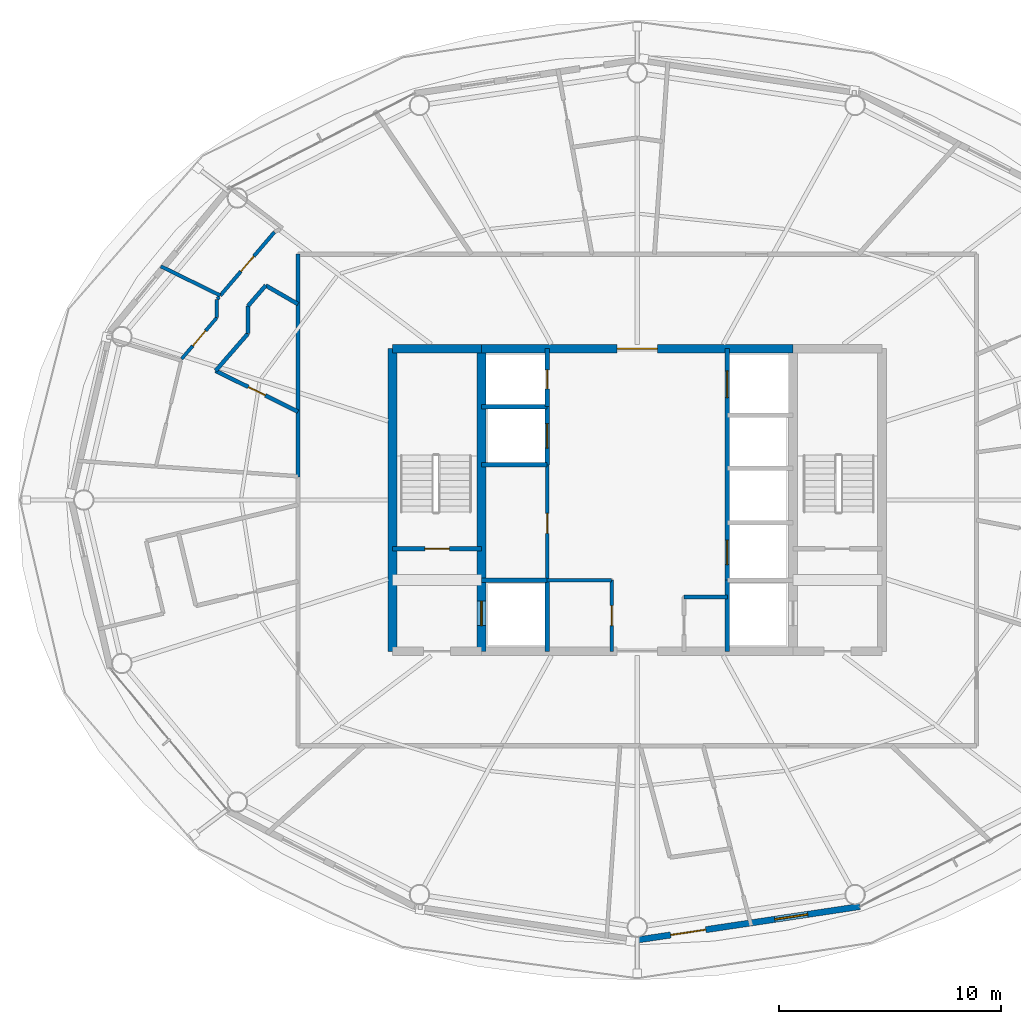
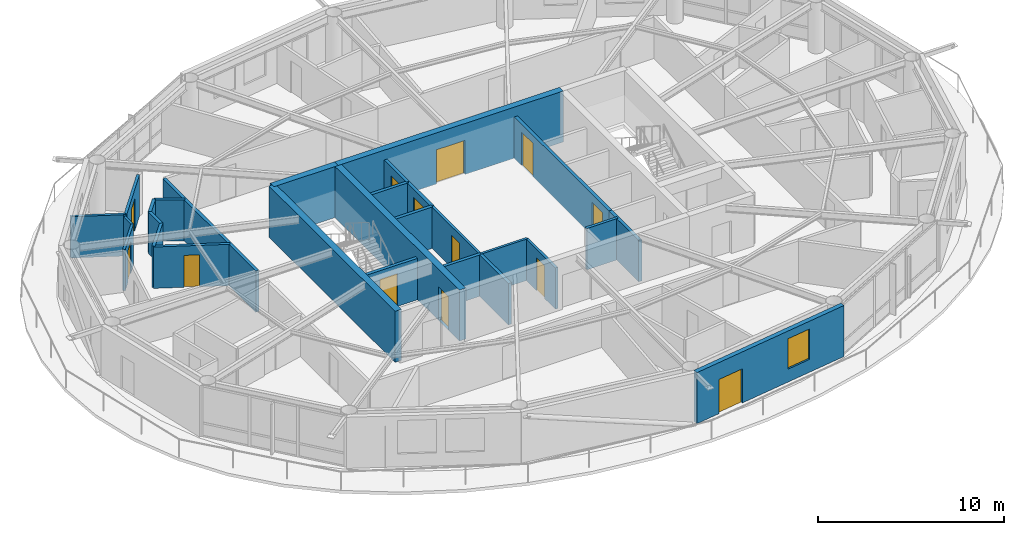
# One storey, part 16 of 22: 29 walls, 13 doors, 1 window, 14 openings.
"""IFC4 building model written with IfcOpenShell, lengths in metres."""

from ifc_helpers import new_model, si_unit, direction, frame, frame_2d, origin, place, context, subcontext, project, spatial, rectangle, extrude, material, layer, layer_set, type_object, element, fill, save


model = new_model("IFC4")

# Units and contexts
model_context = context("Model", 3, precision=1e-05, world=origin(), true_north=direction((0.0, 1.0)))
body_context = subcontext(model_context, "Body", "Model", "MODEL_VIEW")
ifc_project = project(units=[si_unit("LENGTHUNIT", "METRE"), si_unit("AREAUNIT", "SQUARE_METRE"), si_unit("VOLUMEUNIT", "CUBIC_METRE"), si_unit("PLANEANGLEUNIT", "RADIAN"), si_unit("MASSUNIT", "GRAM", prefix="KILO")], contexts=[model_context])

# Site, building, storey
site_placement = place(None, origin())
site = spatial("IfcSite", under=ifc_project, at=site_placement, CompositionType="ELEMENT")
building_placement = place(site_placement, origin())
building = spatial("IfcBuilding", under=site, at=building_placement, Name="Sarneth Arch Tower", CompositionType="ELEMENT")
storey_placement = place(building_placement, frame((0.0, 0.0, 210.0)))
storey = spatial("IfcBuildingStorey", under=building, at=storey_placement, Name="L53", CompositionType="ELEMENT", Elevation=210.0)

# Wall
ifc_material_1 = material(Name="Concrete C50/60", Category="concrete")
ifc_layer_1 = layer(ifc_material_1, 0.39990234375)
ifc_layer_set_1 = layer_set([ifc_layer_1], Name="Concrete C50/60")
wall_type_1 = type_object("IfcWallType", Name="WALL-CORE-400", PredefinedType="SHEAR", material=ifc_layer_set_1)
wall_1_placement = place(storey_placement, frame((37.0, 48.800048828125, 0.0), z_axis=(0.0, 0.0, 1.0), x_axis=(1.0, 0.0, 0.0)))
element("IfcWall", 1, at=wall_1_placement, inside=storey, type_object=wall_type_1, Name="L53 Core shear wall N-W", PredefinedType="SHEAR", context=body_context, shape_type="SweptSolid", body=[
    extrude(rectangle(XDim=4.0, YDim=0.39990234375, at=frame_2d((2.0, 0.0))), origin(), (0.0, 0.0, 1.0), 3.360107421875),
])

# Wall, opening, door
wall_2_placement = place(storey_placement, frame((41.0, 48.800048828125, 0.0), z_axis=(0.0, 0.0, 1.0), x_axis=(1.0, 0.0, 0.0)))
wall_2 = element("IfcWall", 2, at=wall_2_placement, inside=storey, type_object=wall_type_1, Name="L53 Core shear wall N-M", PredefinedType="SHEAR", context=body_context, shape_type="SweptSolid", body=[
    extrude(rectangle(XDim=14.0, YDim=0.39990234375, at=frame_2d((7.0, 0.0))), origin(), (0.0, 0.0, 1.0), 3.360107421875),
])
opening_1_placement = place(wall_2_placement, frame((6.10009765625, 0.0, 0.0)))
opening_1 = element("IfcOpeningElement", 3, at=opening_1_placement, cuts=wall_2, Name="Opening FD-01", PredefinedType="OPENING", context=body_context, shape_type="SweptSolid", body=[
    extrude(rectangle(XDim=1.800048828125, YDim=2.25, at=frame_2d((0.89990234375, 1.125))), frame((0.0, 0.2099609375, 0.0), z_axis=(0.0, -1.0, 0.0), x_axis=(1.0, 0.0, 0.0)), (0.0, 0.0, 1.0), 0.419921875),
])
ifc_material_2 = material(Name="Galvanised Steel S275 fire door set", Category="steel")
door_type_1 = type_object("IfcDoorType", Name="DR-FD90-1800", OperationType="DOUBLE_DOOR_SINGLE_SWING", PredefinedType="DOOR", material=ifc_material_2)
door_1_placement = place(opening_1_placement, origin())
door_1 = element("IfcDoor", 4, at=door_1_placement, inside=storey, type_object=door_type_1, Name="L53 Central lift lobby north door", OperationType="DOUBLE_DOOR_SINGLE_SWING", OverallHeight=2.25, OverallWidth=1.800048828125, PredefinedType="DOOR", context=body_context, shape_type="SweptSolid", body=[
    extrude(rectangle(XDim=1.800048828125, YDim=2.25, at=frame_2d((0.89990234375, 1.125))), frame((0.0, 0.02490234375, 0.0), z_axis=(0.0, -1.0, 0.0), x_axis=(1.0, 0.0, 0.0)), (0.0, 0.0, 1.0), 0.050048828125),
])
fill(opening_1, door_1)

# Wall
wall_3_placement = place(storey_placement, frame((37.0, 35.199951171875, 0.0), z_axis=(0.0, 0.0, 1.0), x_axis=(0.0, 1.0, 0.0)))
element("IfcWall", 5, at=wall_3_placement, inside=storey, type_object=wall_type_1, Name="L53 Core shear wall W", PredefinedType="SHEAR", context=body_context, shape_type="SweptSolid", body=[
    extrude(rectangle(XDim=13.60009765625, YDim=0.39990234375, at=frame_2d((6.800048828125, 0.0))), origin(), (0.0, 0.0, 1.0), 3.360107421875),
])

# Wall, opening, door
wall_4_placement = place(storey_placement, frame((41.0, 35.199951171875, 0.0), z_axis=(0.0, 0.0, 1.0), x_axis=(0.0, 1.0, 0.0)))
wall_4 = element("IfcWall", 6, at=wall_4_placement, inside=storey, type_object=wall_type_1, Name="L53 Core shear wall WEB-W", PredefinedType="SHEAR", context=body_context, shape_type="SweptSolid", body=[
    extrude(rectangle(XDim=13.60009765625, YDim=0.39990234375, at=frame_2d((6.800048828125, 0.0))), origin(), (0.0, 0.0, 1.0), 3.360107421875),
])
opening_2_placement = place(wall_4_placement, frame((1.14990234375, 0.0, 0.0)))
opening_2 = element("IfcOpeningElement", 7, at=opening_2_placement, cuts=wall_4, Name="Opening LD-1", PredefinedType="OPENING", context=body_context, shape_type="SweptSolid", body=[
    extrude(rectangle(XDim=1.10009765625, YDim=2.199951171875, at=frame_2d((0.550048828125, 1.10009765625))), frame((0.0, 0.2099609375, 0.0), z_axis=(0.0, -1.0, 0.0), x_axis=(1.0, 0.0, 0.0)), (0.0, 0.0, 1.0), 0.419921875),
])
ifc_material_3 = material(Name="Brushed Stainless Steel 304 lift landing door", Category="steel")
door_type_2 = type_object("IfcDoorType", Name="DR-LIFT-SLIDE-1100", OperationType="SLIDING_TO_LEFT", PredefinedType="DOOR", material=ifc_material_3)
door_2_placement = place(opening_2_placement, origin())
door_2 = element("IfcDoor", 8, at=door_2_placement, inside=storey, type_object=door_type_2, Name="L53 Firefighting lift landing door FL-1", OperationType="SLIDING_TO_LEFT", OverallHeight=2.199951171875, OverallWidth=1.10009765625, PredefinedType="DOOR", context=body_context, shape_type="SweptSolid", body=[
    extrude(rectangle(XDim=1.10009765625, YDim=2.199951171875, at=frame_2d((0.550048828125, 1.10009765625))), frame((0.0, 0.02490234375, 0.0), z_axis=(0.0, -1.0, 0.0), x_axis=(1.0, 0.0, 0.0)), (0.0, 0.0, 1.0), 0.050048828125),
])
fill(opening_2, door_2)

# Wall
ifc_material_4 = material(Name="Double steel-stud corridor fire wall", Category="steel")
ifc_layer_2 = layer(ifc_material_4, 0.18994140625)
ifc_layer_set_2 = layer_set([ifc_layer_2], Name="Double steel-stud corridor fire wall")
wall_type_2 = type_object("IfcWallType", Name="WALL-CORR-190", PredefinedType="PARTITIONING", material=ifc_layer_set_2)
wall_5_placement = place(storey_placement, frame((32.75, 43.0341796875, 0.0), z_axis=(0.0, 0.0, 1.0), x_axis=(0.0, 1.0, 0.0)))
element("IfcWall", 9, at=wall_5_placement, inside=storey, type_object=wall_type_2, Name="L53 Interior partition W-L53-TP-011", PredefinedType="PARTITIONING", context=body_context, shape_type="SweptSolid", body=[
    extrude(rectangle(XDim=10.015869140625, YDim=0.18994140625, at=frame_2d((5.0078125, 0.0))), origin(), (0.0, 0.0, 1.0), 2.719970703125),
])

# Wall, openings, door, window
ifc_material_5 = material(Name="Extruded terracotta rainscreen on Concrete C40/50 backing", Category="masonry")
ifc_layer_3 = layer(ifc_material_5, 0.280029296875)
ifc_layer_set_3 = layer_set([ifc_layer_3], Name="Extruded terracotta rainscreen on Concrete C40/50 backing")
wall_type_3 = type_object("IfcWallType", Name="WALL-EXT-TERRA-280", PredefinedType="SOLIDWALL", material=ifc_layer_set_3)
wall_6_placement = place(storey_placement, frame((48.0, 22.219970703125, 0.0), z_axis=(0.0, 0.0, 1.0), x_axis=(0.988882522213, 0.148698881169, 0.0)))
wall_6 = element("IfcWall", 10, at=wall_6_placement, inside=storey, type_object=wall_type_3, Name="L53 Terracotta perimeter wall 13", PredefinedType="SOLIDWALL", context=body_context, shape_type="SweptSolid", body=[
    extrude(rectangle(XDim=10.125244140625, YDim=0.280029296875, at=frame_2d((5.0625, 0.0))), origin(), (0.0, 0.0, 1.0), 3.360107421875),
])
opening_3_placement = place(wall_6_placement, frame((1.51611328125, 0.0, 0.0)))
opening_3 = element("IfcOpeningElement", 11, at=opening_3_placement, cuts=wall_6, Name="Opening BD-1", PredefinedType="OPENING", context=body_context, shape_type="SweptSolid", body=[
    extrude(rectangle(XDim=1.60009765625, YDim=2.25, at=frame_2d((0.800048828125, 1.125))), frame((0.0, 0.14990234375, 0.0), z_axis=(0.0, -1.0, 0.0), x_axis=(1.0, 0.0, 0.0)), (0.0, 0.0, 1.0), 0.300048828125),
])
opening_4_placement = place(wall_6_placement, frame((6.25048828125, 0.0, 0.85009765625)))
opening_4 = element("IfcOpeningElement", 12, at=opening_4_placement, cuts=wall_6, Name="Opening W-06", PredefinedType="OPENING", context=body_context, shape_type="SweptSolid", body=[
    extrude(rectangle(XDim=1.5, YDim=2.0, at=frame_2d((0.75, 1.0))), frame((0.0, 0.14990234375, 0.0), z_axis=(0.0, -1.0, 0.0), x_axis=(1.0, 0.0, 0.0)), (0.0, 0.0, 1.0), 0.300048828125),
])
ifc_material_6 = material(Name="Thermally broken Aluminium 6063-T6 and laminated safety glass", Category="aluminium")
door_type_3 = type_object("IfcDoorType", Name="DR-BALC-GLZ-1600", OperationType="DOUBLE_DOOR_SINGLE_SWING", PredefinedType="DOOR", material=ifc_material_6)
door_3_placement = place(opening_3_placement, origin())
door_3 = element("IfcDoor", 13, at=door_3_placement, inside=storey, type_object=door_type_3, Name="L53 Balcony glazed door 13", OperationType="DOUBLE_DOOR_SINGLE_SWING", OverallHeight=2.25, OverallWidth=1.60009765625, PredefinedType="DOOR", context=body_context, shape_type="SweptSolid", body=[
    extrude(rectangle(XDim=1.60009765625, YDim=2.25, at=frame_2d((0.800048828125, 1.125))), frame((0.0, 0.02490234375, 0.0), z_axis=(0.0, -1.0, 0.0), x_axis=(1.0, 0.0, 0.0)), (0.0, 0.0, 1.0), 0.050048828125),
])
fill(opening_3, door_3)
ifc_material_7 = material(Name="Thermally broken Aluminium 6063-T6 and low-e laminated IGU", Category="aluminium")
window_type = type_object("IfcWindowType", Name="WIN-TWR-1500x2000", PartitioningType="SINGLE_PANEL", PredefinedType="WINDOW", material=ifc_material_7)
window_placement = place(opening_4_placement, origin())
window = element("IfcWindow", 14, at=window_placement, inside=storey, type_object=window_type, Name="L53 Exterior window 13A", OverallHeight=2.0, OverallWidth=1.5, PartitioningType="SINGLE_PANEL", PredefinedType="WINDOW", context=body_context, shape_type="SweptSolid", body=[
    extrude(rectangle(XDim=1.5, YDim=2.0, at=frame_2d((0.75, 1.0))), frame((0.0, 0.030029296875, 0.0), z_axis=(0.0, -1.0, 0.0), x_axis=(1.0, 0.0, 0.0)), (0.0, 0.0, 1.0), 0.06005859375),
])
fill(opening_4, window)

# Wall, opening, door
ifc_material_8 = material(Name="Acoustic gypsum stud partition", Category="gypsum")
ifc_layer_4 = layer(ifc_material_8, 0.14990234375)
ifc_layer_set_4 = layer_set([ifc_layer_4], Name="Acoustic gypsum stud partition")
wall_type_4 = type_object("IfcWallType", Name="WALL-PART-150", PredefinedType="PARTITIONING", material=ifc_layer_set_4)
wall_7_placement = place(storey_placement, frame((43.949951171875, 38.39990234375, 0.0), z_axis=(0.0, 0.0, 1.0), x_axis=(0.0, 1.0, 0.0)))
wall_7 = element("IfcWall", 15, at=wall_7_placement, inside=storey, type_object=wall_type_4, Name="L53 Interior partition W-L53-RECPL-E", PredefinedType="PARTITIONING", context=body_context, shape_type="SweptSolid", body=[
    extrude(rectangle(XDim=5.18017578125, YDim=0.14990234375, at=frame_2d((2.590087890625, 0.0))), origin(), (0.0, 0.0, 1.0), 2.719970703125),
])
opening_5_placement = place(wall_7_placement, frame((2.10009765625, 0.0, 0.0)))
opening_5 = element("IfcOpeningElement", 16, at=opening_5_placement, cuts=wall_7, Name="Opening FD-10", PredefinedType="OPENING", context=body_context, shape_type="SweptSolid", body=[
    extrude(rectangle(XDim=0.89990234375, YDim=2.14990234375, at=frame_2d((0.449951171875, 1.074951171875))), frame((0.0, 0.0849609375, 0.0), z_axis=(0.0, -1.0, 0.0), x_axis=(1.0, 0.0, 0.0)), (0.0, 0.0, 1.0), 0.169921875),
])
ifc_material_9 = material(Name="Galvanised Steel S275 riser/service fire door", Category="steel")
door_type_4 = type_object("IfcDoorType", Name="DR-FD60-900", OperationType="SINGLE_SWING_LEFT", PredefinedType="DOOR", material=ifc_material_9)
door_4_placement = place(opening_5_placement, origin())
door_4 = element("IfcDoor", 17, at=door_4_placement, inside=storey, type_object=door_type_4, Name="L53 Interior door DR-L53-RECPL1", OperationType="SINGLE_SWING_LEFT", OverallHeight=2.14990234375, OverallWidth=0.89990234375, PredefinedType="DOOR", context=body_context, shape_type="SweptSolid", body=[
    extrude(rectangle(XDim=0.89990234375, YDim=2.14990234375, at=frame_2d((0.449951171875, 1.074951171875))), frame((0.0, 0.02490234375, 0.0), z_axis=(0.0, -1.0, 0.0), x_axis=(1.0, 0.0, 0.0)), (0.0, 0.0, 1.0), 0.050048828125),
])
fill(opening_5, door_4)

# Wall
wall_8_placement = place(storey_placement, frame((43.949951171875, 38.39990234375, 0.0), z_axis=(0.0, 0.0, 1.0), x_axis=(1.0, 0.0, 0.0)))
element("IfcWall", 18, at=wall_8_placement, inside=storey, type_object=wall_type_4, Name="L53 Interior partition W-L53-CSUP1-N", PredefinedType="PARTITIONING", context=body_context, shape_type="SweptSolid", body=[
    extrude(rectangle(XDim=2.900146484375, YDim=0.14990234375, at=frame_2d((1.4501953125, 0.0))), origin(), (0.0, 0.0, 1.0), 2.719970703125),
])

# Wall, opening, door
wall_9_placement = place(storey_placement, frame((46.85009765625, 35.199951171875, 0.0), z_axis=(0.0, 0.0, 1.0), x_axis=(0.0, 1.0, 0.0)))
wall_9 = element("IfcWall", 19, at=wall_9_placement, inside=storey, type_object=wall_type_4, Name="L53 Interior partition W-L53-CSUP1-E", PredefinedType="PARTITIONING", context=body_context, shape_type="SweptSolid", body=[
    extrude(rectangle(XDim=3.199951171875, YDim=0.14990234375, at=frame_2d((1.60009765625, 0.0))), origin(), (0.0, 0.0, 1.0), 2.719970703125),
])
opening_6_placement = place(wall_9_placement, frame((1.14990234375, 0.0, 0.0)))
opening_6 = element("IfcOpeningElement", 20, at=opening_6_placement, cuts=wall_9, Name="Opening FD-10", PredefinedType="OPENING", context=body_context, shape_type="SweptSolid", body=[
    extrude(rectangle(XDim=0.89990234375, YDim=2.14990234375, at=frame_2d((0.449951171875, 1.074951171875))), frame((0.0, 0.0849609375, 0.0), z_axis=(0.0, -1.0, 0.0), x_axis=(1.0, 0.0, 0.0)), (0.0, 0.0, 1.0), 0.169921875),
])
door_5_placement = place(opening_6_placement, origin())
door_5 = element("IfcDoor", 21, at=door_5_placement, inside=storey, type_object=door_type_4, Name="L53 Interior door DR-L53-CSUP1", OperationType="SINGLE_SWING_LEFT", OverallHeight=2.14990234375, OverallWidth=0.89990234375, PredefinedType="DOOR", context=body_context, shape_type="SweptSolid", body=[
    extrude(rectangle(XDim=0.89990234375, YDim=2.14990234375, at=frame_2d((0.449951171875, 1.074951171875))), frame((0.0, 0.02490234375, 0.0), z_axis=(0.0, -1.0, 0.0), x_axis=(1.0, 0.0, 0.0)), (0.0, 0.0, 1.0), 0.050048828125),
])
fill(opening_6, door_5)

wall_10_placement = place(storey_placement, frame((29.10009765625, 50.197021484375, 0.0), z_axis=(0.0, 0.0, 1.0), x_axis=(-0.649270866973, -0.760557257082, 0.0)))
wall_10 = element("IfcWall", 22, at=wall_10_placement, inside=storey, type_object=wall_type_4, Name="L53 Interior partition W-L53-TP-049", PredefinedType="PARTITIONING", context=body_context, shape_type="SweptSolid", body=[
    extrude(rectangle(XDim=2.43505859375, YDim=0.14990234375, at=frame_2d((1.217529296875, 0.0))), origin(), (0.0, 0.0, 1.0), 2.719970703125),
])
opening_7_placement = place(wall_10_placement, frame((0.767578125, 0.0, 0.0)))
opening_7 = element("IfcOpeningElement", 23, at=opening_7_placement, cuts=wall_10, Name="Opening ID-01", PredefinedType="OPENING", context=body_context, shape_type="SweptSolid", body=[
    extrude(rectangle(XDim=0.89990234375, YDim=2.10009765625, at=frame_2d((0.449951171875, 1.050048828125))), frame((0.0, 0.0849609375, 0.0), z_axis=(0.0, -1.0, 0.0), x_axis=(1.0, 0.0, 0.0)), (0.0, 0.0, 1.0), 0.169921875),
])
ifc_material_10 = material(Name="Engineered hardwood flush door", Category="wood")
door_type_5 = type_object("IfcDoorType", Name="DR-INT-900", OperationType="SINGLE_SWING_LEFT", PredefinedType="DOOR", material=ifc_material_10)
door_6_placement = place(opening_7_placement, origin())
door_6 = element("IfcDoor", 24, at=door_6_placement, inside=storey, type_object=door_type_5, Name="L53 Interior door DR-L53-U4-BED1", OperationType="SINGLE_SWING_LEFT", OverallHeight=2.10009765625, OverallWidth=0.89990234375, PredefinedType="DOOR", context=body_context, shape_type="SweptSolid", body=[
    extrude(rectangle(XDim=0.89990234375, YDim=2.10009765625, at=frame_2d((0.449951171875, 1.050048828125))), frame((0.0, 0.02490234375, 0.0), z_axis=(0.0, -1.0, 0.0), x_axis=(1.0, 0.0, 0.0)), (0.0, 0.0, 1.0), 0.050048828125),
])
fill(opening_7, door_6)

# Walls
wall_11_placement = place(storey_placement, frame((29.10009765625, 51.007080078125, 0.0), z_axis=(0.0, 0.0, 1.0), x_axis=(0.0, -1.0, 0.0)))
element("IfcWall", 25, at=wall_11_placement, inside=storey, type_object=wall_type_4, Name="L53 Interior partition W-L53-TP-048", PredefinedType="PARTITIONING", context=body_context, shape_type="SweptSolid", body=[
    extrude(rectangle(XDim=0.81005859375, YDim=0.14990234375, at=frame_2d((0.405029296875, 0.0))), origin(), (0.0, 0.0, 1.0), 2.719970703125),
])
wall_12_placement = place(storey_placement, frame((29.201416015625, 51.125732421875, 0.0), z_axis=(0.0, 0.0, 1.0), x_axis=(-0.649232735888, -0.760589807092, 0.0)))
element("IfcWall", 26, at=wall_12_placement, inside=storey, type_object=wall_type_4, Name="L53 Interior partition W-L53-TP-047", PredefinedType="PARTITIONING", context=body_context, shape_type="SweptSolid", body=[
    extrude(rectangle(XDim=0.1162109375, YDim=0.14990234375, at=frame_2d((0.05810546875, 0.0))), origin(), (0.0, 0.0, 1.0), 2.719970703125),
])

# Wall, opening, door
ifc_material_11 = material(Name="Kitchen wet service chase wall", Category="gypsum")
ifc_layer_5 = layer(ifc_material_11, 0.159912109375)
ifc_layer_set_5 = layer_set([ifc_layer_5], Name="Kitchen wet service chase wall")
wall_type_5 = type_object("IfcWallType", Name="WALL-PLUMB-160", PredefinedType="PLUMBINGWALL", material=ifc_layer_set_5)
wall_13_placement = place(storey_placement, frame((31.68896484375, 54.0419921875, 0.0), z_axis=(0.0, 0.0, 1.0), x_axis=(-0.648996547252, -0.760791352248, 0.0)))
wall_13 = element("IfcWall", 27, at=wall_13_placement, inside=storey, type_object=wall_type_5, Name="L53 Interior partition W-L53-TP-041", PredefinedType="PLUMBINGWALL", context=body_context, shape_type="SweptSolid", body=[
    extrude(rectangle(XDim=3.745361328125, YDim=0.159912109375, at=frame_2d((1.87255859375, 0.0))), origin(), (0.0, 0.0, 1.0), 2.719970703125),
])
opening_8_placement = place(wall_13_placement, frame((1.422607421875, 0.0, 0.0)))
opening_8 = element("IfcOpeningElement", 28, at=opening_8_placement, cuts=wall_13, Name="Opening ID-01", PredefinedType="OPENING", context=body_context, shape_type="SweptSolid", body=[
    extrude(rectangle(XDim=0.89990234375, YDim=2.10009765625, at=frame_2d((0.449951171875, 1.050048828125))), frame((0.0, 0.08984375, 0.0), z_axis=(0.0, -1.0, 0.0), x_axis=(1.0, 0.0, 0.0)), (0.0, 0.0, 1.0), 0.179931640625),
])
door_7_placement = place(opening_8_placement, origin())
door_7 = element("IfcDoor", 29, at=door_7_placement, inside=storey, type_object=door_type_5, Name="L53 Interior door DR-L53-U4-KIT", OperationType="SINGLE_SWING_LEFT", OverallHeight=2.10009765625, OverallWidth=0.89990234375, PredefinedType="DOOR", context=body_context, shape_type="SweptSolid", body=[
    extrude(rectangle(XDim=0.89990234375, YDim=2.10009765625, at=frame_2d((0.449951171875, 1.050048828125))), frame((0.0, 0.02490234375, 0.0), z_axis=(0.0, -1.0, 0.0), x_axis=(1.0, 0.0, 0.0)), (0.0, 0.0, 1.0), 0.050048828125),
])
fill(opening_8, door_7)

# Walls
wall_14_placement = place(storey_placement, frame((29.25830078125, 51.192626953125, 0.0), z_axis=(0.0, 0.0, 1.0), x_axis=(-0.897810810902, 0.440381366348, 0.0)))
element("IfcWall", 30, at=wall_14_placement, inside=storey, type_object=wall_type_5, Name="L53 Interior partition W-L53-TP-052", PredefinedType="PLUMBINGWALL", context=body_context, shape_type="SweptSolid", body=[
    extrude(rectangle(XDim=2.978759765625, YDim=0.159912109375, at=frame_2d((1.4892578125, 0.0))), origin(), (0.0, 0.0, 1.0), 2.719970703125),
])
ifc_material_12 = material(Name="Moisture-resistant plumbing chase wall", Category="gypsum")
ifc_layer_6 = layer(ifc_material_12, 0.179931640625)
ifc_layer_set_6 = layer_set([ifc_layer_6], Name="Moisture-resistant plumbing chase wall")
wall_type_6 = type_object("IfcWallType", Name="WALL-PLUMB-180", PredefinedType="PLUMBINGWALL", material=ifc_layer_set_6)
wall_15_placement = place(storey_placement, frame((50.10009765625, 37.64990234375, 0.0), z_axis=(0.0, 0.0, 1.0), x_axis=(1.0, 0.0, 0.0)))
element("IfcWall", 31, at=wall_15_placement, inside=storey, type_object=wall_type_6, Name="L53 Interior partition W-L53-AWC-N", PredefinedType="PLUMBINGWALL", context=body_context, shape_type="SweptSolid", body=[
    extrude(rectangle(XDim=1.949951171875, YDim=0.179931640625, at=frame_2d((0.97509765625, 0.0))), origin(), (0.0, 0.0, 1.0), 2.719970703125),
])

# Wall, opening, door
wall_16_placement = place(storey_placement, frame((29.0458984375, 47.809326171875, 0.0), z_axis=(0.0, 0.0, 1.0), x_axis=(0.895675225239, -0.444708770876, 0.0)))
wall_16 = element("IfcWall", 32, at=wall_16_placement, inside=storey, type_object=wall_type_6, Name="L53 Interior partition W-L53-TP-046", PredefinedType="PLUMBINGWALL", context=body_context, shape_type="SweptSolid", body=[
    extrude(rectangle(XDim=4.135498046875, YDim=0.179931640625, at=frame_2d((2.06787109375, 0.0))), origin(), (0.0, 0.0, 1.0), 2.719970703125),
])
opening_9_placement = place(wall_16_placement, frame((1.642822265625, 0.0, 0.0)))
opening_9 = element("IfcOpeningElement", 33, at=opening_9_placement, cuts=wall_16, Name="Opening ID-02", PredefinedType="OPENING", context=body_context, shape_type="SweptSolid", body=[
    extrude(rectangle(XDim=0.85009765625, YDim=2.10009765625, at=frame_2d((0.425048828125, 1.050048828125))), frame((0.0, 0.099853515625, 0.0), z_axis=(0.0, -1.0, 0.0), x_axis=(1.0, 0.0, 0.0)), (0.0, 0.0, 1.0), 0.199951171875),
])
ifc_material_13 = material(Name="Moisture-resistant bathroom timber door", Category="wood")
door_type_6 = type_object("IfcDoorType", Name="DR-INT-850", OperationType="SINGLE_SWING_RIGHT", PredefinedType="DOOR", material=ifc_material_13)
door_8_placement = place(opening_9_placement, origin())
door_8 = element("IfcDoor", 34, at=door_8_placement, inside=storey, type_object=door_type_6, Name="L53 Interior door DR-L53-U4-BATH", OperationType="SINGLE_SWING_RIGHT", OverallHeight=2.10009765625, OverallWidth=0.85009765625, PredefinedType="DOOR", context=body_context, shape_type="SweptSolid", body=[
    extrude(rectangle(XDim=0.85009765625, YDim=2.10009765625, at=frame_2d((0.425048828125, 1.050048828125))), frame((0.0, 0.02490234375, 0.0), z_axis=(0.0, -1.0, 0.0), x_axis=(1.0, 0.0, 0.0)), (0.0, 0.0, 1.0), 0.050048828125),
])
fill(opening_9, door_8)

# Walls
wall_17_placement = place(storey_placement, frame((30.5, 49.480712890625, 0.0), z_axis=(0.0, 0.0, 1.0), x_axis=(-0.656364223854, -0.754444169998, 0.0)))
element("IfcWall", 35, at=wall_17_placement, inside=storey, type_object=wall_type_6, Name="L53 Interior partition W-L53-TP-045", PredefinedType="PLUMBINGWALL", context=body_context, shape_type="SweptSolid", body=[
    extrude(rectangle(XDim=2.21533203125, YDim=0.179931640625, at=frame_2d((1.107666015625, 0.0))), origin(), (0.0, 0.0, 1.0), 2.719970703125),
])
wall_18_placement = place(storey_placement, frame((32.75, 50.8046875, 0.0), z_axis=(0.0, 0.0, 1.0), x_axis=(-0.866013522419, 0.500020578564, 0.0)))
element("IfcWall", 36, at=wall_18_placement, inside=storey, type_object=wall_type_6, Name="L53 Interior partition W-L53-TP-042", PredefinedType="PLUMBINGWALL", context=body_context, shape_type="SweptSolid", body=[
    extrude(rectangle(XDim=1.677734375, YDim=0.179931640625, at=frame_2d((0.8388671875, 0.0))), origin(), (0.0, 0.0, 1.0), 2.719970703125),
])
wall_19_placement = place(storey_placement, frame((30.5, 50.72119140625, 0.0), z_axis=(0.0, 0.0, 1.0), x_axis=(0.0, -1.0, 0.0)))
element("IfcWall", 37, at=wall_19_placement, inside=storey, type_object=wall_type_6, Name="L53 Interior partition W-L53-TP-044", PredefinedType="PLUMBINGWALL", context=body_context, shape_type="SweptSolid", body=[
    extrude(rectangle(XDim=1.240478515625, YDim=0.179931640625, at=frame_2d((0.6201171875, 0.0))), origin(), (0.0, 0.0, 1.0), 2.719970703125),
])
wall_20_placement = place(storey_placement, frame((31.297119140625, 51.6435546875, 0.0), z_axis=(0.0, 0.0, 1.0), x_axis=(-0.653870108477, -0.756606820773, 0.0)))
element("IfcWall", 38, at=wall_20_placement, inside=storey, type_object=wall_type_6, Name="L53 Interior partition W-L53-TP-043", PredefinedType="PLUMBINGWALL", context=body_context, shape_type="SweptSolid", body=[
    extrude(rectangle(XDim=1.218994140625, YDim=0.179931640625, at=frame_2d((0.609375, 0.0))), origin(), (0.0, 0.0, 1.0), 2.719970703125),
])

# Wall, opening, door
ifc_material_14 = material(Name="Aerated concrete blockwork C25/30", Category="masonry")
ifc_layer_7 = layer(ifc_material_14, 0.199951171875)
ifc_layer_set_7 = layer_set([ifc_layer_7], Name="Aerated concrete blockwork C25/30")
wall_type_7 = type_object("IfcWallType", Name="WALL-SHAFT-200", PredefinedType="SOLIDWALL", material=ifc_layer_set_7)
wall_21_placement = place(storey_placement, frame((37.0, 39.800048828125, 0.0), z_axis=(0.0, 0.0, 1.0), x_axis=(1.0, 0.0, 0.0)))
wall_21 = element("IfcWall", 39, at=wall_21_placement, inside=storey, type_object=wall_type_7, Name="L53 Interior partition W-L53-ST1-S", PredefinedType="SOLIDWALL", context=body_context, shape_type="SweptSolid", body=[
    extrude(rectangle(XDim=4.0, YDim=0.199951171875, at=frame_2d((2.0, 0.0))), origin(), (0.0, 0.0, 1.0), 2.719970703125),
])
opening_10_placement = place(wall_21_placement, frame((1.449951171875, 0.0, 0.0)))
opening_10 = element("IfcOpeningElement", 40, at=opening_10_placement, cuts=wall_21, Name="Opening FD-03", PredefinedType="OPENING", context=body_context, shape_type="SweptSolid", body=[
    extrude(rectangle(XDim=1.10009765625, YDim=2.14990234375, at=frame_2d((0.550048828125, 1.074951171875))), frame((0.0, 0.10986328125, 0.0), z_axis=(0.0, -1.0, 0.0), x_axis=(1.0, 0.0, 0.0)), (0.0, 0.0, 1.0), 0.219970703125),
])
ifc_material_15 = material(Name="Galvanised Steel S275 fire door set", Category="steel")
door_type_7 = type_object("IfcDoorType", Name="DR-FD90-1100", OperationType="SINGLE_SWING_LEFT", PredefinedType="DOOR", material=ifc_material_15)
door_9_placement = place(opening_10_placement, origin())
door_9 = element("IfcDoor", 41, at=door_9_placement, inside=storey, type_object=door_type_7, Name="L53 Interior door DR-L53-ST1", OperationType="SINGLE_SWING_LEFT", OverallHeight=2.14990234375, OverallWidth=1.10009765625, PredefinedType="DOOR", context=body_context, shape_type="SweptSolid", body=[
    extrude(rectangle(XDim=1.10009765625, YDim=2.14990234375, at=frame_2d((0.550048828125, 1.074951171875))), frame((0.0, 0.02490234375, 0.0), z_axis=(0.0, -1.0, 0.0), x_axis=(1.0, 0.0, 0.0)), (0.0, 0.0, 1.0), 0.050048828125),
])
fill(opening_10, door_9)

# Walls
wall_22_placement = place(storey_placement, frame((43.949951171875, 35.199951171875, 0.0), z_axis=(0.0, 0.0, 1.0), x_axis=(0.0, 1.0, 0.0)))
element("IfcWall", 42, at=wall_22_placement, inside=storey, type_object=wall_type_7, Name="L53 Interior partition W-L53-FL1-E", PredefinedType="SOLIDWALL", context=body_context, shape_type="SweptSolid", body=[
    extrude(rectangle(XDim=3.199951171875, YDim=0.199951171875, at=frame_2d((1.60009765625, 0.0))), origin(), (0.0, 0.0, 1.0), 2.719970703125),
])
wall_23_placement = place(storey_placement, frame((41.0, 38.39990234375, 0.0), z_axis=(0.0, 0.0, 1.0), x_axis=(1.0, 0.0, 0.0)))
element("IfcWall", 43, at=wall_23_placement, inside=storey, type_object=wall_type_7, Name="L53 Interior partition W-L53-FL1-N", PredefinedType="SOLIDWALL", context=body_context, shape_type="SweptSolid", body=[
    extrude(rectangle(XDim=2.949951171875, YDim=0.199951171875, at=frame_2d((1.47509765625, 0.0))), origin(), (0.0, 0.0, 1.0), 2.719970703125),
])
wall_24_placement = place(storey_placement, frame((52.050048828125, 35.199951171875, 0.0), z_axis=(0.0, 0.0, 1.0), x_axis=(0.0, 1.0, 0.0)))
element("IfcWall", 44, at=wall_24_placement, inside=storey, type_object=wall_type_7, Name="L53 Interior partition W-L53-FL2-W", PredefinedType="SOLIDWALL", context=body_context, shape_type="SweptSolid", body=[
    extrude(rectangle(XDim=3.199951171875, YDim=0.199951171875, at=frame_2d((1.60009765625, 0.0))), origin(), (0.0, 0.0, 1.0), 2.719970703125),
])
wall_25_placement = place(storey_placement, frame((41.0, 46.199951171875, 0.0), z_axis=(0.0, 0.0, 1.0), x_axis=(1.0, 0.0, 0.0)))
element("IfcWall", 45, at=wall_25_placement, inside=storey, type_object=wall_type_7, Name="L53 Interior partition W-L53-RISER-S", PredefinedType="SOLIDWALL", context=body_context, shape_type="SweptSolid", body=[
    extrude(rectangle(XDim=2.949951171875, YDim=0.199951171875, at=frame_2d((1.47509765625, 0.0))), origin(), (0.0, 0.0, 1.0), 2.719970703125),
])

# Wall, opening, door
wall_26_placement = place(storey_placement, frame((43.949951171875, 46.199951171875, 0.0), z_axis=(0.0, 0.0, 1.0), x_axis=(0.0, 1.0, 0.0)))
wall_26 = element("IfcWall", 46, at=wall_26_placement, inside=storey, type_object=wall_type_7, Name="L53 Interior partition W-L53-RISER-E", PredefinedType="SOLIDWALL", context=body_context, shape_type="SweptSolid", body=[
    extrude(rectangle(XDim=2.60009765625, YDim=0.199951171875, at=frame_2d((1.300048828125, 0.0))), origin(), (0.0, 0.0, 1.0), 2.719970703125),
])
opening_11_placement = place(wall_26_placement, frame((0.800048828125, 0.0, 0.0)))
opening_11 = element("IfcOpeningElement", 47, at=opening_11_placement, cuts=wall_26, Name="Opening FD-11", PredefinedType="OPENING", context=body_context, shape_type="SweptSolid", body=[
    extrude(rectangle(XDim=0.85009765625, YDim=2.14990234375, at=frame_2d((0.425048828125, 1.074951171875))), frame((0.0, 0.10986328125, 0.0), z_axis=(0.0, -1.0, 0.0), x_axis=(1.0, 0.0, 0.0)), (0.0, 0.0, 1.0), 0.219970703125),
])
ifc_material_16 = material(Name="Galvanised Steel S275 closet fire door", Category="steel")
door_type_8 = type_object("IfcDoorType", Name="DR-FD60-850", OperationType="SINGLE_SWING_LEFT", PredefinedType="DOOR", material=ifc_material_16)
door_10_placement = place(opening_11_placement, origin())
door_10 = element("IfcDoor", 48, at=door_10_placement, inside=storey, type_object=door_type_8, Name="L53 Lift landing door DR-L53-RISER", OperationType="SINGLE_SWING_LEFT", OverallHeight=2.14990234375, OverallWidth=0.85009765625, PredefinedType="DOOR", context=body_context, shape_type="SweptSolid", body=[
    extrude(rectangle(XDim=0.85009765625, YDim=2.14990234375, at=frame_2d((0.425048828125, 1.074951171875))), frame((0.0, 0.02490234375, 0.0), z_axis=(0.0, -1.0, 0.0), x_axis=(1.0, 0.0, 0.0)), (0.0, 0.0, 1.0), 0.050048828125),
])
fill(opening_11, door_10)

# Wall
wall_27_placement = place(storey_placement, frame((41.0, 43.580078125, 0.0), z_axis=(0.0, 0.0, 1.0), x_axis=(1.0, 0.0, 0.0)))
element("IfcWall", 49, at=wall_27_placement, inside=storey, type_object=wall_type_7, Name="L53 Interior partition W-L53-PM1-S", PredefinedType="SOLIDWALL", context=body_context, shape_type="SweptSolid", body=[
    extrude(rectangle(XDim=2.949951171875, YDim=0.199951171875, at=frame_2d((1.47509765625, 0.0))), origin(), (0.0, 0.0, 1.0), 2.719970703125),
])

# Wall, opening, door
wall_28_placement = place(storey_placement, frame((43.949951171875, 43.580078125, 0.0), z_axis=(0.0, 0.0, 1.0), x_axis=(0.0, 1.0, 0.0)))
wall_28 = element("IfcWall", 50, at=wall_28_placement, inside=storey, type_object=wall_type_7, Name="L53 Interior partition W-L53-PM1-FRONT", PredefinedType="SOLIDWALL", context=body_context, shape_type="SweptSolid", body=[
    extrude(rectangle(XDim=2.619873046875, YDim=0.199951171875, at=frame_2d((1.31005859375, 0.0))), origin(), (0.0, 0.0, 1.0), 2.719970703125),
])
opening_12_placement = place(wall_28_placement, frame((0.75, 0.0, 0.0)))
opening_12 = element("IfcOpeningElement", 51, at=opening_12_placement, cuts=wall_28, Name="Opening LD-1", PredefinedType="OPENING", context=body_context, shape_type="SweptSolid", body=[
    extrude(rectangle(XDim=1.10009765625, YDim=2.199951171875, at=frame_2d((0.550048828125, 1.10009765625))), frame((0.0, 0.10986328125, 0.0), z_axis=(0.0, -1.0, 0.0), x_axis=(1.0, 0.0, 0.0)), (0.0, 0.0, 1.0), 0.219970703125),
])
door_11_placement = place(opening_12_placement, origin())
door_11 = element("IfcDoor", 52, at=door_11_placement, inside=storey, type_object=door_type_2, Name="L53 Lift landing door DR-L53-LD-PM1", OperationType="SLIDING_TO_LEFT", OverallHeight=2.199951171875, OverallWidth=1.10009765625, PredefinedType="DOOR", context=body_context, shape_type="SweptSolid", body=[
    extrude(rectangle(XDim=1.10009765625, YDim=2.199951171875, at=frame_2d((0.550048828125, 1.10009765625))), frame((0.0, 0.02490234375, 0.0), z_axis=(0.0, -1.0, 0.0), x_axis=(1.0, 0.0, 0.0)), (0.0, 0.0, 1.0), 0.050048828125),
])
fill(opening_12, door_11)

# Wall, openings, doors
wall_29_placement = place(storey_placement, frame((52.050048828125, 38.39990234375, 0.0), z_axis=(0.0, 0.0, 1.0), x_axis=(0.0, 1.0, 0.0)))
wall_29 = element("IfcWall", 53, at=wall_29_placement, inside=storey, type_object=wall_type_7, Name="L53 Interior partition W-L53-EASTBANK-FRONT", PredefinedType="SOLIDWALL", context=body_context, shape_type="SweptSolid", body=[
    extrude(rectangle(XDim=10.400146484375, YDim=0.199951171875, at=frame_2d((5.2001953125, 0.0))), origin(), (0.0, 0.0, 1.0), 2.719970703125),
])
opening_13_placement = place(wall_29_placement, frame((0.699951171875, 0.0, 0.0)))
opening_13 = element("IfcOpeningElement", 54, at=opening_13_placement, cuts=wall_29, Name="Opening LD-1", PredefinedType="OPENING", context=body_context, shape_type="SweptSolid", body=[
    extrude(rectangle(XDim=1.10009765625, YDim=2.199951171875, at=frame_2d((0.550048828125, 1.10009765625))), frame((0.0, 0.10986328125, 0.0), z_axis=(0.0, -1.0, 0.0), x_axis=(1.0, 0.0, 0.0)), (0.0, 0.0, 1.0), 0.219970703125),
])
opening_14_placement = place(wall_29_placement, frame((8.199951171875, 0.0, 0.0)))
opening_14 = element("IfcOpeningElement", 55, at=opening_14_placement, cuts=wall_29, Name="Opening LD-2", PredefinedType="OPENING", context=body_context, shape_type="SweptSolid", body=[
    extrude(rectangle(XDim=1.199951171875, YDim=2.199951171875, at=frame_2d((0.60009765625, 1.10009765625))), frame((0.0, 0.10986328125, 0.0), z_axis=(0.0, -1.0, 0.0), x_axis=(1.0, 0.0, 0.0)), (0.0, 0.0, 1.0), 0.219970703125),
])
door_12_placement = place(opening_13_placement, origin())
door_12 = element("IfcDoor", 56, at=door_12_placement, inside=storey, type_object=door_type_2, Name="L53 Lift landing door DR-L53-LD-PM2", OperationType="SLIDING_TO_LEFT", OverallHeight=2.199951171875, OverallWidth=1.10009765625, PredefinedType="DOOR", context=body_context, shape_type="SweptSolid", body=[
    extrude(rectangle(XDim=1.10009765625, YDim=2.199951171875, at=frame_2d((0.550048828125, 1.10009765625))), frame((0.0, 0.02490234375, 0.0), z_axis=(0.0, -1.0, 0.0), x_axis=(1.0, 0.0, 0.0)), (0.0, 0.0, 1.0), 0.050048828125),
])
fill(opening_13, door_12)
ifc_material_17 = material(Name="Brushed Stainless Steel 304 service lift door", Category="steel")
door_type_9 = type_object("IfcDoorType", Name="DR-LIFT-SLIDE-1200", OperationType="SLIDING_TO_RIGHT", PredefinedType="DOOR", material=ifc_material_17)
door_13_placement = place(opening_14_placement, origin())
door_13 = element("IfcDoor", 57, at=door_13_placement, inside=storey, type_object=door_type_9, Name="L53 Lift landing door DR-L53-LD-SL1", OperationType="SLIDING_TO_RIGHT", OverallHeight=2.199951171875, OverallWidth=1.199951171875, PredefinedType="DOOR", context=body_context, shape_type="SweptSolid", body=[
    extrude(rectangle(XDim=1.199951171875, YDim=2.199951171875, at=frame_2d((0.60009765625, 1.10009765625))), frame((0.0, 0.02490234375, 0.0), z_axis=(0.0, -1.0, 0.0), x_axis=(1.0, 0.0, 0.0)), (0.0, 0.0, 1.0), 0.050048828125),
])
fill(opening_14, door_13)

save(model, "model.ifc")
